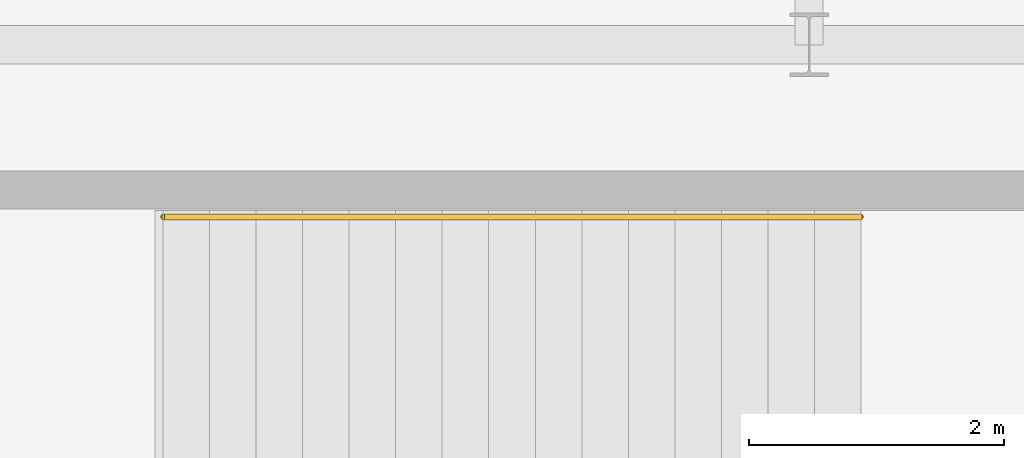
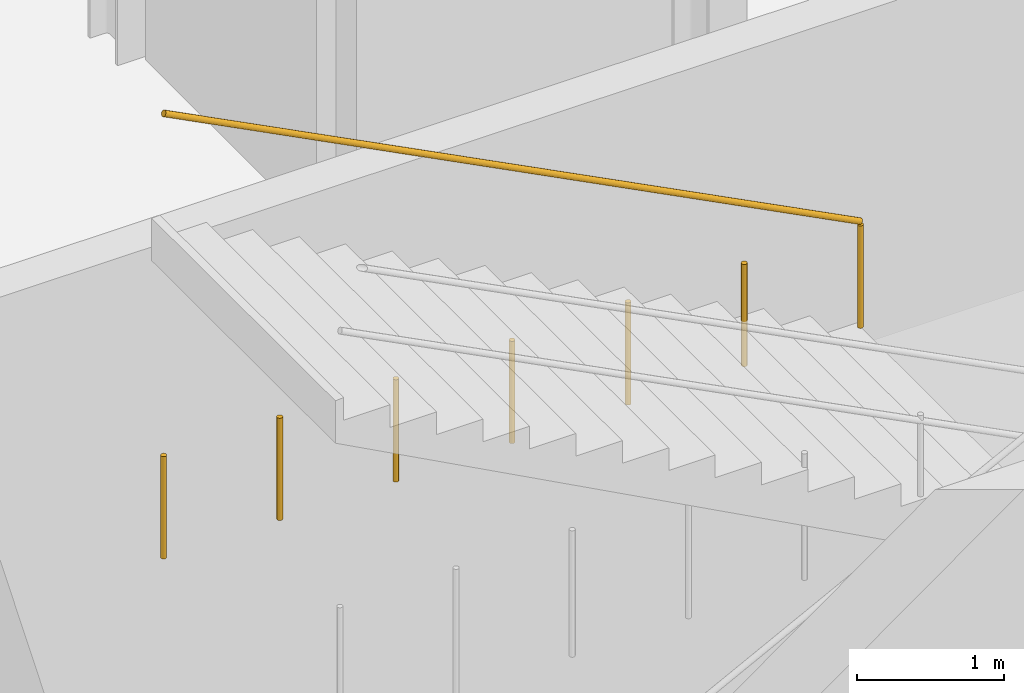
# One storey, part 124 of 124: 1 railing.
"""IFC4 building model written with IfcOpenShell, lengths in metres."""

from ifc_helpers import new_model, si_unit, direction, frame, origin, origin_2d, place, context, subcontext, project, spatial, circle, extrude, material, type_object, element, save


model = new_model("IFC4")

# Units and contexts
model_context = context("Model", 3, precision=1e-05, world=origin(), true_north=direction((0.0, 1.0)))
body_context = subcontext(model_context, "Body", "Model", "MODEL_VIEW")
ifc_project = project(units=[si_unit("LENGTHUNIT", "METRE"), si_unit("AREAUNIT", "SQUARE_METRE"), si_unit("VOLUMEUNIT", "CUBIC_METRE"), si_unit("PLANEANGLEUNIT", "RADIAN"), si_unit("MASSUNIT", "GRAM", prefix="KILO")], contexts=[model_context])

# Site, building, storey
site_placement = place(None, origin())
site = spatial("IfcSite", under=ifc_project, at=site_placement, CompositionType="ELEMENT")
building_placement = place(site_placement, origin())
building = spatial("IfcBuilding", under=site, at=building_placement, Name="Danafjord Basin Convention Centre", CompositionType="ELEMENT")
storey_placement = place(building_placement, origin())
storey = spatial("IfcBuildingStorey", under=building, at=storey_placement, Name="L00", CompositionType="ELEMENT", Elevation=0.0)

# Railing
ifc_material = material(Name="Brushed stainless steel EN 1.4404", Category="steel")
railing_type = type_object("IfcRailingType", Name="RL-HR-STAIR", PredefinedType="HANDRAIL", material=ifc_material)
railing_placement = place(storey_placement, frame((106.0048828125, 126.64990234375, 3.1875)))
element("IfcRailing", 1, at=railing_placement, inside=storey, type_object=railing_type, Name="L00 ST-09 stair handrail 2", PredefinedType="HANDRAIL", context=body_context, shape_type="SweptSolid", body=[
    extrude(circle(Radius=0.02392578125, at=origin_2d()), frame((0.0, 0.0, 0.8759765625), z_axis=(-0.889495128042, 0.0, 0.456944654405), x_axis=(0.0, -1.0, 0.0)), (0.0, 0.0, 1.0), 6.155029296875),
    extrude(circle(Radius=0.02099609375, at=origin_2d()), origin(), (0.0, 0.0, 1.0), 0.849853515625),
    extrude(circle(Radius=0.02099609375, at=origin_2d()), frame((-0.91259765625, 0.0, 0.0)), (0.0, 0.0, 1.0), 0.849853515625),
    extrude(circle(Radius=0.02099609375, at=origin_2d()), frame((-1.824951171875, 0.0, 0.0)), (0.0, 0.0, 1.0), 0.849853515625),
    extrude(circle(Radius=0.02099609375, at=origin_2d()), frame((-2.7373046875, 0.0, 0.0)), (0.0, 0.0, 1.0), 0.849853515625),
    extrude(circle(Radius=0.02099609375, at=origin_2d()), frame((-3.64990234375, 0.0, 0.0)), (0.0, 0.0, 1.0), 0.849853515625),
    extrude(circle(Radius=0.02099609375, at=origin_2d()), frame((-4.5625, 0.0, 0.0)), (0.0, 0.0, 1.0), 0.849853515625),
    extrude(circle(Radius=0.02099609375, at=origin_2d()), frame((-5.474853515625, 0.0, 0.0)), (0.0, 0.0, 1.0), 0.849853515625),
])

save(model, "model.ifc")
